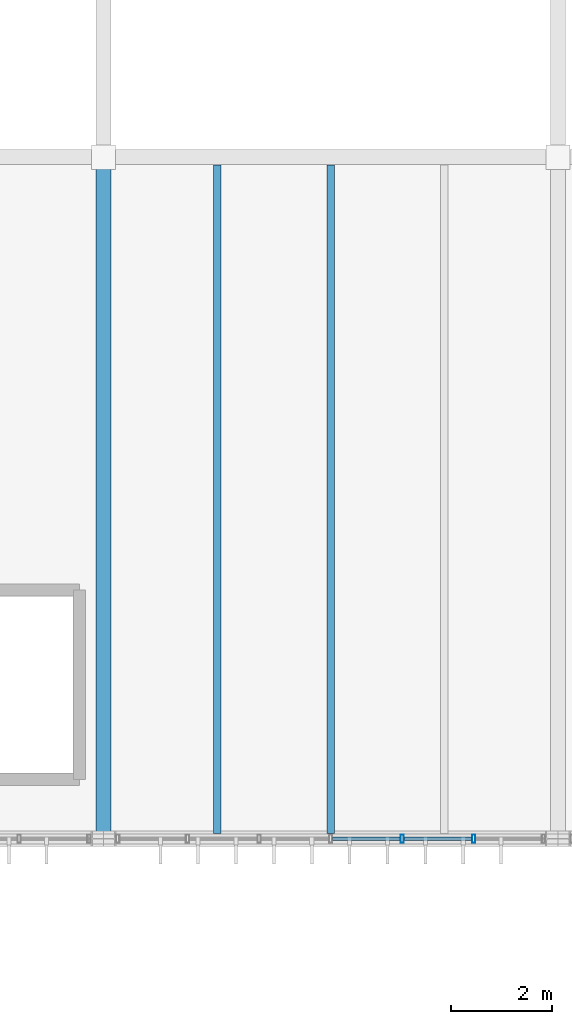
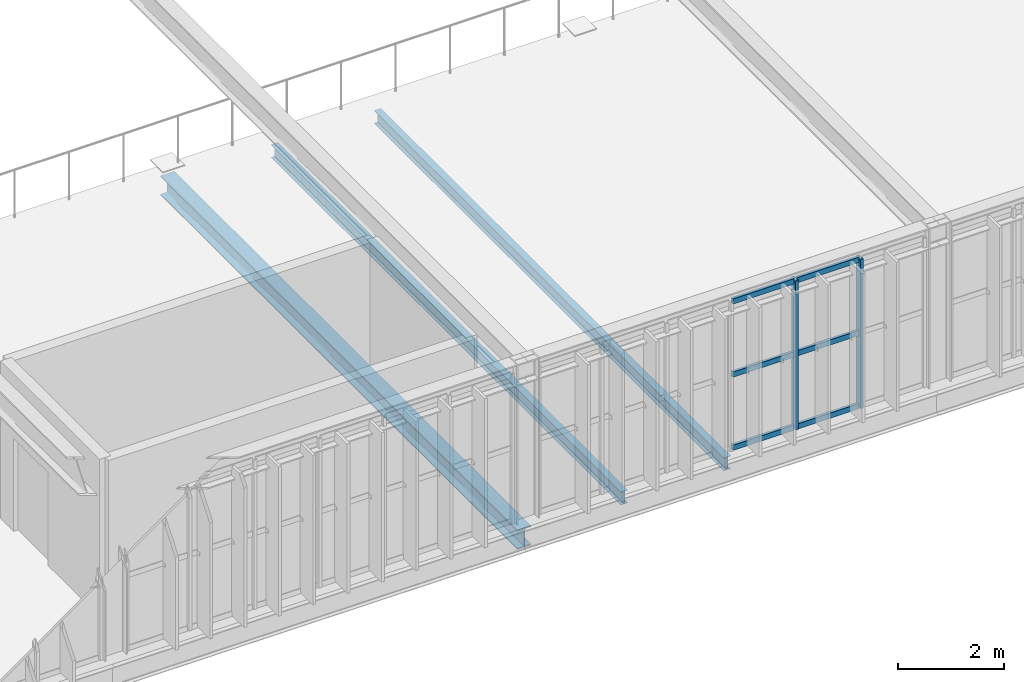
# One storey, part 39 of 152: 8 members, 3 beams, 1 element without a shape of its own.
"""IFC4 building model written with IfcOpenShell, lengths in metres."""

import ifcopenshell
import ifcopenshell.guid

model = None  # the IFC model being written
_history = None  # IfcOwnerHistory: only IFC2X3 demands one
_inside = {}  # id of a spatial element -> (the spatial element, [elements in it])
_under = {}  # id of a project, library or spatial element -> (it, [spatial elements below it])
_declared = {}  # id of a project -> (the project, [libraries it declares])
_typed = {}  # id of a type object -> (the type object, [elements of that type])
_made_of = {}  # id of a material, layer set ... -> (it, [elements and type objects made of it])


def new_model(schema):
    """Start an empty IFC model of exactly this schema.

    Asked for "IFC4X3", IfcOpenShell would pick the latest addendum, in which some entities
    have other attributes; the version numbers below select the first issue.
    IFC2X3 requires an IfcOwnerHistory on every rooted entity: one is made here for all.
    """
    global model, _history
    if schema == "IFC4X3":
        model = ifcopenshell.file(schema_version=(4, 3, 0, 0))
    else:
        model = ifcopenshell.file(schema=schema)
    _inside.clear()
    _under.clear()
    _declared.clear()
    _typed.clear()
    _made_of.clear()
    _history = None
    if model.schema == "IFC2X3":
        org = make("IfcOrganization", Name="unknown")
        user = make(
            "IfcPersonAndOrganization",
            ThePerson=make("IfcPerson", FamilyName="unknown"),
            TheOrganization=org,
        )
        app = make(
            "IfcApplication",
            ApplicationDeveloper=org,
            Version="unknown",
            ApplicationFullName="unknown",
            ApplicationIdentifier="unknown",
        )
        _history = make(
            "IfcOwnerHistory",
            OwningUser=user,
            OwningApplication=app,
            ChangeAction="ADDED",
            CreationDate=0,
        )
    return model


def make(cls, **values):
    """One entity of the class cls with the attributes given. An attribute that is None is left unset."""
    return model.create_entity(
        cls, **{name: value for name, value in values.items() if value is not None}
    )


def rooted(cls, **values):
    """An entity with a GlobalId (a new one), such as an element, a storey or a relation."""
    return make(cls, GlobalId=ifcopenshell.guid.new(), OwnerHistory=_history, **values)


def si_unit(unit_type, name, prefix=None):
    """IfcSIUnit, for example si_unit("LENGTHUNIT", "METRE", prefix="MILLI")."""
    return make("IfcSIUnit", UnitType=unit_type, Prefix=prefix, Name=name)


def derived_unit(unit_type, elements):
    """IfcDerivedUnit: a product of units, each with its exponent."""
    return make(
        "IfcDerivedUnit",
        Elements=[
            make("IfcDerivedUnitElement", Unit=unit, Exponent=power)
            for unit, power in elements
        ],
        UnitType=unit_type,
    )


def assignment(units):
    """IfcUnitAssignment: the units of a project."""
    return None if units is None else make("IfcUnitAssignment", Units=units)


def point(xyz):
    """IfcCartesianPoint."""
    return None if xyz is None else make("IfcCartesianPoint", Coordinates=xyz)


def direction(xyz):
    """IfcDirection."""
    return None if xyz is None else make("IfcDirection", DirectionRatios=xyz)


def frame(location, z_axis=None, x_axis=None):
    """IfcAxis2Placement3D, a coordinate frame: its origin and axes. An axis left out is left unset."""
    return make(
        "IfcAxis2Placement3D",
        Location=point(location),
        Axis=direction(z_axis),
        RefDirection=direction(x_axis),
    )


def frame_2d(location, x_axis=None):
    """IfcAxis2Placement2D, a coordinate frame in the plane: its origin and x axis."""
    return make(
        "IfcAxis2Placement2D", Location=point(location), RefDirection=direction(x_axis)
    )


def origin():
    """The frame at (0, 0, 0) with its axes left unset."""
    return frame((0.0, 0.0, 0.0))


def origin_2d():
    """The frame at (0, 0) in the plane with its x axis left unset."""
    return frame_2d((0.0, 0.0))


def place(relative_to, where):
    """IfcLocalPlacement: puts the frame where relative to a parent placement (None: the world)."""
    return make(
        "IfcLocalPlacement", PlacementRelTo=relative_to, RelativePlacement=where
    )


def context(
    kind, dimensions, precision=None, world=None, true_north=None, identifier=None
):
    """IfcGeometricRepresentationContext, for example the 3D "Model" context."""
    return make(
        "IfcGeometricRepresentationContext",
        ContextIdentifier=identifier,
        ContextType=kind,
        CoordinateSpaceDimension=dimensions,
        Precision=precision,
        WorldCoordinateSystem=world,
        TrueNorth=true_north,
    )


def subcontext(parent, identifier, kind, view, scale=None):
    """IfcGeometricRepresentationSubContext, for example "Body" below "Model"."""
    return make(
        "IfcGeometricRepresentationSubContext",
        ContextIdentifier=identifier,
        ContextType=kind,
        ParentContext=parent,
        TargetScale=scale,
        TargetView=view,
    )


def project(units=None, contexts=None):
    """IfcProject with its units and contexts."""
    return rooted(
        "IfcProject",
        Name="project",
        RepresentationContexts=contexts,
        UnitsInContext=assignment(units),
    )


def spatial(cls, under=None, at=None, **own):
    """A site, building, storey or space (cls), placed at a placement, below another one or the project."""
    s = rooted(cls, ObjectPlacement=at, **own)
    if under is not None:
        _under.setdefault(under.id(), (under, []))[1].append(s)
    return s


def profile(cls, at=None, kind="AREA", **sizes):
    """A parametric profile (cls). Its sizes go by their IFC names, for example OverallWidth=200.0."""
    return make(cls, ProfileType=kind, Position=at, **sizes)


def hollow_rectangle(**sizes):
    """IfcRectangleHollowProfileDef."""
    return profile("IfcRectangleHollowProfileDef", **sizes)


def i_section(**sizes):
    """IfcIShapeProfileDef."""
    return profile("IfcIShapeProfileDef", **sizes)


def extrude(swept, where, along, depth):
    """IfcExtrudedAreaSolid: the profile swept, set in the frame where, extruded along a direction by depth."""
    return make(
        "IfcExtrudedAreaSolid",
        SweptArea=swept,
        Position=where,
        ExtrudedDirection=direction(along),
        Depth=depth,
    )


def shape(context_of_items, identifier, shape_type, items):
    """IfcShapeRepresentation: the items that make up one representation, for example the "Body"."""
    return make(
        "IfcShapeRepresentation",
        ContextOfItems=context_of_items,
        RepresentationIdentifier=identifier,
        RepresentationType=shape_type,
        Items=items,
    )


def material(Name=None, Category=None):
    """IfcMaterial."""
    return make("IfcMaterial", Name=Name, Category=Category)


def material_profile(
    of_material, cross_section, Name=None, Category=None, Priority=None
):
    """IfcMaterialProfile: a cross section and its material."""
    return make(
        "IfcMaterialProfile",
        Name=Name,
        Material=of_material,
        Profile=cross_section,
        Priority=Priority,
        Category=Category,
    )


def profile_set(profiles, Name=None, composite=None):
    """IfcMaterialProfileSet."""
    return make(
        "IfcMaterialProfileSet",
        Name=Name,
        MaterialProfiles=profiles,
        CompositeProfile=composite,
    )


def made_of(thing, what):
    """Note that an element or type object is made of a material, layer set ...; save() writes the relation."""
    if what is not None:
        _made_of.setdefault(what.id(), (what, []))[1].append(thing)
    return thing


def type_object(cls, material=None, **own):
    """A type object (cls), such as IfcWallType, which elements share."""
    return made_of(rooted(cls, **own), material)


def element(
    cls,
    number,
    at=None,
    inside=None,
    cuts=None,
    type_object=None,
    material=None,
    context=None,
    identifier="Body",
    shape_type=None,
    held_by="IfcProductDefinitionShape",
    body=None,
    shapes=None,
    **own,
):
    """One element of the class cls, such as IfcWall. Its Tag is "e" and its number.

    at: its placement. inside: the storey or other place that contains it. cuts: it is an
    opening in that element (IfcRelVoidsElement). A single representation is given by context,
    identifier, shape_type and body (its items); several are given by shapes. held_by: the class
    of the entity that holds the representations. save() writes the other relations.
    """
    e = rooted(cls, Tag="e%d" % number, ObjectPlacement=at, **own)
    if body is not None:
        shapes = [shape(context, identifier, shape_type, body)]
    if shapes is not None:
        e.Representation = make(held_by, Representations=shapes)
    if inside is not None:
        _inside.setdefault(inside.id(), (inside, []))[1].append(e)
    if cuts is not None:
        rooted(
            "IfcRelVoidsElement", RelatingBuildingElement=cuts, RelatedOpeningElement=e
        )
    if type_object is not None:
        _typed.setdefault(type_object.id(), (type_object, []))[1].append(e)
    return made_of(e, material)


def aggregate(whole, parts):
    """IfcRelAggregates: a whole, such as a stair, and the parts it consists of."""
    return rooted("IfcRelAggregates", RelatingObject=whole, RelatedObjects=parts)


def save(model, path):
    """Write the relations noted so far, then the file.

    IfcRelAggregates (storeys below a building ...), IfcRelContainedInSpatialStructure (elements
    in a storey), IfcRelDefinesByType, IfcRelAssociatesMaterial and IfcRelDeclares: one each for
    every whole, place, type object, material and project.
    """
    for whole, parts in _under.values():
        aggregate(whole, parts)
    for where, things in _inside.values():
        rooted(
            "IfcRelContainedInSpatialStructure",
            RelatedElements=things,
            RelatingStructure=where,
        )
    for kind, things in _typed.values():
        rooted("IfcRelDefinesByType", RelatedObjects=things, RelatingType=kind)
    for what, things in _made_of.values():
        rooted("IfcRelAssociatesMaterial", RelatedObjects=things, RelatingMaterial=what)
    for by, libraries in _declared.values():
        rooted("IfcRelDeclares", RelatingContext=by, RelatedDefinitions=libraries)
    model.write(path)


model = new_model("IFC4")

# Units and contexts
model_context = context("Model", 3, precision=1e-05, world=origin(), true_north=direction((0.0, 1.0)))
body_context = subcontext(model_context, "Body", "Model", "MODEL_VIEW")
ifc_project = project(units=[si_unit("LENGTHUNIT", "METRE"), si_unit("AREAUNIT", "SQUARE_METRE"), si_unit("VOLUMEUNIT", "CUBIC_METRE"), si_unit("PLANEANGLEUNIT", "RADIAN"), si_unit("MASSUNIT", "GRAM", prefix="KILO"), si_unit("THERMODYNAMICTEMPERATUREUNIT", "KELVIN"), si_unit("TIMEUNIT", "SECOND"), derived_unit("THERMALTRANSMITTANCEUNIT", [(si_unit("MASSUNIT", "GRAM", prefix="KILO"), 1), (si_unit("THERMODYNAMICTEMPERATUREUNIT", "KELVIN"), -1), (si_unit("TIMEUNIT", "SECOND"), -3)])], contexts=[model_context])

# Site, building, storey
site_placement = place(None, origin())
site = spatial("IfcSite", under=ifc_project, at=site_placement, CompositionType="ELEMENT")
building_placement = place(site_placement, origin())
building = spatial("IfcBuilding", under=site, at=building_placement, Name="Cambertide Market Hall", CompositionType="ELEMENT")
storey_placement = place(building_placement, frame((0.0, 0.0, 5.39990234375)))
storey = spatial("IfcBuildingStorey", under=building, at=storey_placement, Name="L02", CompositionType="ELEMENT", Elevation=5.39990234375)

# Curtain wall, members
ifc_material_1 = material(Name="Marine Anodized Aluminium 6063-T6 AA25", Category="aluminium")
curtain_wall_type = type_object("IfcCurtainWallType", Name="Lantern Straight Upper Curtain Wall", PredefinedType="USERDEFINED", material=ifc_material_1)
curtain_wall_placement = place(storey_placement, origin())
curtain_wall = element("IfcCurtainWall", 1, at=curtain_wall_placement, inside=storey, type_object=curtain_wall_type, Name="Level 2 Curtain Wall CW-V1S-L02-6", ObjectType="UNITIZED CURTAIN WALL", PredefinedType="USERDEFINED")
ifc_material_2 = material(Name="Champagne Marine Anodized Aluminium 6063-T6 AA25", Category="aluminium")
ifc_material_profile_1 = material_profile(ifc_material_2, hollow_rectangle(XDim=0.06494140625, YDim=0.159912109375, WallThickness=0.00341796875, at=origin_2d()), Name="ALU MULLION 65x160")
ifc_profile_set_1 = profile_set([ifc_material_profile_1], Name="Champagne Marine Anodized Aluminium 6063-T6 AA25")
member_type_1 = type_object("IfcMemberType", Name="Curtain Wall Mullion ALU MULLION 65x160", PredefinedType="MULLION", material=ifc_profile_set_1)
member_1_placement = place(storey_placement, frame((94.333251953125, 52.0, 0.0), z_axis=(0.0, 0.0, 1.0), x_axis=(-1.0, 0.0, 0.0)))
member_1 = element("IfcMember", 2, at=member_1_placement, type_object=member_type_1, Name="CW-V1S-L02-6 Mullion 2", PredefinedType="MULLION", context=body_context, shape_type="SweptSolid", body=[
    extrude(hollow_rectangle(XDim=0.06494140625, YDim=0.159912109375, WallThickness=0.00341796875, at=origin_2d()), origin(), (0.0, 0.0, 1.0), 3.4501953125),
])
member_2_placement = place(storey_placement, frame((92.916748046875, 52.0, 0.0), z_axis=(0.0, 0.0, 1.0), x_axis=(-1.0, 0.0, 0.0)))
member_2 = element("IfcMember", 3, at=member_2_placement, type_object=member_type_1, Name="CW-V1S-L02-6 Mullion 3", PredefinedType="MULLION", context=body_context, shape_type="SweptSolid", body=[
    extrude(hollow_rectangle(XDim=0.06494140625, YDim=0.159912109375, WallThickness=0.00341796875, at=origin_2d()), origin(), (0.0, 0.0, 1.0), 3.4501953125),
])
ifc_material_3 = material(Name="Champagne Marine Anodized Aluminium 6063-T6 AA25", Category="aluminium")
ifc_material_profile_2 = material_profile(ifc_material_3, hollow_rectangle(XDim=0.06494140625, YDim=0.1201171875, WallThickness=0.003173828125, at=origin_2d()), Name="ALU TRANSOM 65x120")
ifc_profile_set_2 = profile_set([ifc_material_profile_2], Name="Champagne Marine Anodized Aluminium 6063-T6 AA25")
member_type_2 = type_object("IfcMemberType", Name="Curtain Wall Transom ALU TRANSOM 65x120", PredefinedType="USERDEFINED", material=ifc_profile_set_2)
member_3_placement = place(storey_placement, frame((94.293212890625, 52.0, 0.03515625), z_axis=(-1.0, 0.0, 0.0), x_axis=(0.0, -1.0, 0.0)))
member_3 = element("IfcMember", 4, at=member_3_placement, type_object=member_type_2, Name="CW-V1S-L02-6 Transom 1-2", ObjectType="TRANSOM", PredefinedType="USERDEFINED", context=body_context, shape_type="SweptSolid", body=[
    extrude(hollow_rectangle(XDim=0.06494140625, YDim=0.1201171875, WallThickness=0.003173828125, at=origin_2d()), origin(), (0.0, 0.0, 1.0), 1.33642578125),
])
member_4_placement = place(storey_placement, frame((92.876708984375, 52.0, 0.03515625), z_axis=(-1.0, 0.0, 0.0), x_axis=(0.0, -1.0, 0.0)))
member_4 = element("IfcMember", 5, at=member_4_placement, type_object=member_type_2, Name="CW-V1S-L02-6 Transom 1-3", ObjectType="TRANSOM", PredefinedType="USERDEFINED", context=body_context, shape_type="SweptSolid", body=[
    extrude(hollow_rectangle(XDim=0.06494140625, YDim=0.1201171875, WallThickness=0.003173828125, at=origin_2d()), origin(), (0.0, 0.0, 1.0), 1.336669921875),
])
member_5_placement = place(storey_placement, frame((94.293212890625, 52.0, 1.72509765625), z_axis=(-1.0, 0.0, 0.0), x_axis=(0.0, -1.0, 0.0)))
member_5 = element("IfcMember", 6, at=member_5_placement, type_object=member_type_2, Name="CW-V1S-L02-6 Transom 2-2", ObjectType="TRANSOM", PredefinedType="USERDEFINED", context=body_context, shape_type="SweptSolid", body=[
    extrude(hollow_rectangle(XDim=0.06494140625, YDim=0.1201171875, WallThickness=0.003173828125, at=origin_2d()), origin(), (0.0, 0.0, 1.0), 1.33642578125),
])
member_6_placement = place(storey_placement, frame((92.876708984375, 52.0, 1.72509765625), z_axis=(-1.0, 0.0, 0.0), x_axis=(0.0, -1.0, 0.0)))
member_6 = element("IfcMember", 7, at=member_6_placement, type_object=member_type_2, Name="CW-V1S-L02-6 Transom 2-3", ObjectType="TRANSOM", PredefinedType="USERDEFINED", context=body_context, shape_type="SweptSolid", body=[
    extrude(hollow_rectangle(XDim=0.06494140625, YDim=0.1201171875, WallThickness=0.003173828125, at=origin_2d()), origin(), (0.0, 0.0, 1.0), 1.336669921875),
])
member_7_placement = place(storey_placement, frame((94.293212890625, 52.0, 3.4150390625), z_axis=(-1.0, 0.0, 0.0), x_axis=(0.0, -1.0, 0.0)))
member_7 = element("IfcMember", 8, at=member_7_placement, type_object=member_type_2, Name="CW-V1S-L02-6 Transom 3-2", ObjectType="TRANSOM", PredefinedType="USERDEFINED", context=body_context, shape_type="SweptSolid", body=[
    extrude(hollow_rectangle(XDim=0.06494140625, YDim=0.1201171875, WallThickness=0.003173828125, at=origin_2d()), origin(), (0.0, 0.0, 1.0), 1.33642578125),
])
member_8_placement = place(storey_placement, frame((92.876708984375, 52.0, 3.4150390625), z_axis=(-1.0, 0.0, 0.0), x_axis=(0.0, -1.0, 0.0)))
member_8 = element("IfcMember", 9, at=member_8_placement, type_object=member_type_2, Name="CW-V1S-L02-6 Transom 3-3", ObjectType="TRANSOM", PredefinedType="USERDEFINED", context=body_context, shape_type="SweptSolid", body=[
    extrude(hollow_rectangle(XDim=0.06494140625, YDim=0.1201171875, WallThickness=0.003173828125, at=origin_2d()), origin(), (0.0, 0.0, 1.0), 1.336669921875),
])
aggregate(curtain_wall, [member_1, member_2, member_3, member_4, member_5, member_6, member_7, member_8])

# Beams
ifc_material_4 = material(Name="Steel S355", Category="steel")
ifc_material_profile_3 = material_profile(ifc_material_4, i_section(OverallWidth=0.300048828125, OverallDepth=0.449951171875, WebThickness=0.013916015625, FlangeThickness=0.02587890625, FilletRadius=0.027099609375, at=origin_2d()), Name="HEB 450")
ifc_profile_set_3 = profile_set([ifc_material_profile_3], Name="Steel S355")
beam_type_1 = type_object("IfcBeamType", Name="Steel Girder HEB 450", PredefinedType="BEAM", material=ifc_profile_set_3)
beam_placement = place(storey_placement, frame((87.0, 52.0, -0.46484375), z_axis=(0.0, 1.0, 0.0), x_axis=(-1.0, 0.0, 0.0)))
element("IfcBeam", 10, at=beam_placement, inside=storey, type_object=beam_type_1, Name="Level 2 Beam BM-V1TS-L02-6", PredefinedType="BEAM", context=body_context, shape_type="SweptSolid", body=[
    extrude(i_section(OverallWidth=0.300048828125, OverallDepth=0.449951171875, WebThickness=0.013916015625, FlangeThickness=0.02587890625, FilletRadius=0.027099609375, at=origin_2d()), origin(), (0.0, 0.0, 1.0), 13.5),
])
ifc_material_5 = material(Name="Steel S275", Category="steel")
ifc_material_profile_4 = material_profile(ifc_material_5, i_section(OverallWidth=0.14990234375, OverallDepth=0.300048828125, WebThickness=0.007080078125, FlangeThickness=0.0107421875, FilletRadius=0.014892578125, at=origin_2d()), Name="IPE 300")
ifc_profile_set_4 = profile_set([ifc_material_profile_4], Name="Steel S275")
beam_type_2 = type_object("IfcBeamType", Name="Steel Secondary Joist IPE 300", PredefinedType="JOIST", material=ifc_profile_set_4)
for number, where, z_axis, x_axis, name in (
    (11, (89.25, 52.10791015625, -0.389892578125), (0.0, 1.0, 0.0), (-1.0, 0.0, 0.0), "Level 2 Joist JS-V1S-L02-6-1"),
    (12, (91.5, 52.10791015625, -0.389892578125), (0.0, 1.0, 0.0), (-1.0, 0.0, 0.0), "Level 2 Joist JS-V1S-L02-6-2"),
):
    element("IfcBeam", number, at=place(storey_placement, frame(where, z_axis=z_axis, x_axis=x_axis)), inside=storey, type_object=beam_type_2, Name=name, PredefinedType="JOIST", context=body_context, shape_type="SweptSolid", body=[
        extrude(i_section(OverallWidth=0.14990234375, OverallDepth=0.300048828125, WebThickness=0.007080078125, FlangeThickness=0.0107421875, FilletRadius=0.014892578125, at=origin_2d()), origin(), (0.0, 0.0, 1.0), 13.234130859375),
    ])

save(model, "model.ifc")
